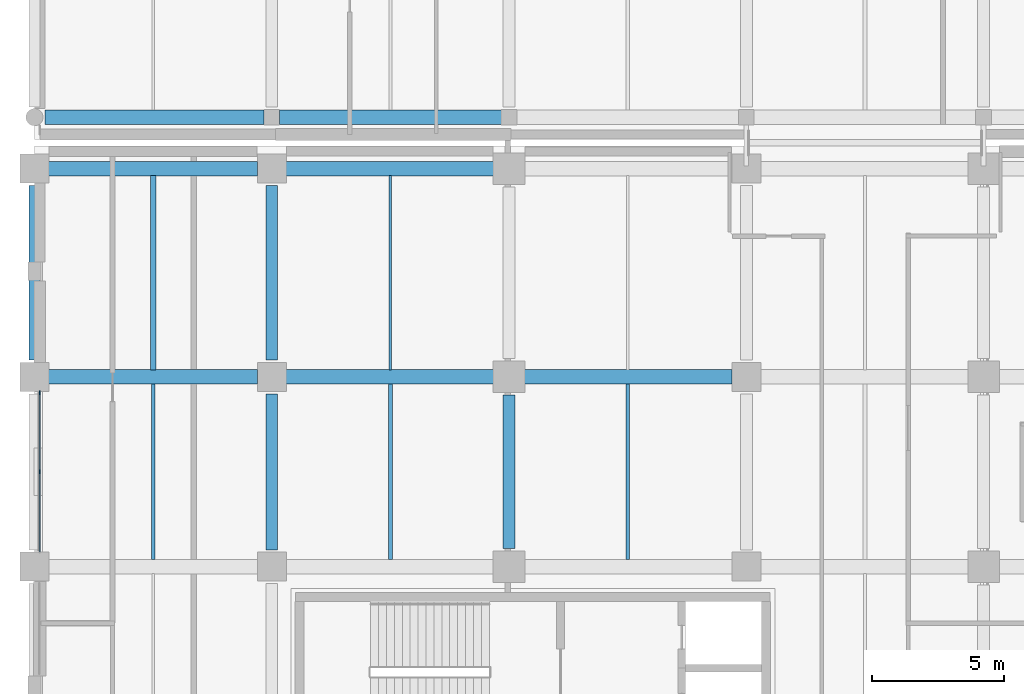
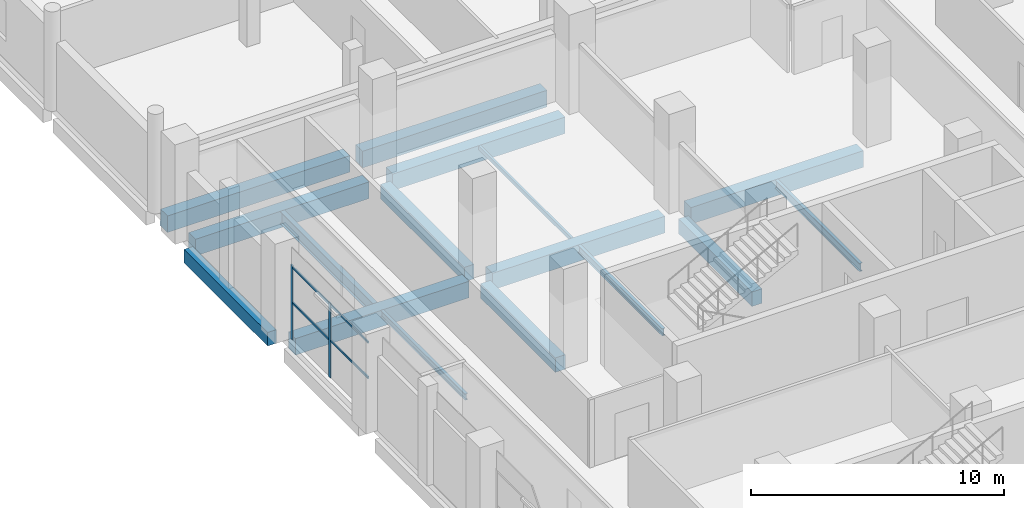
# One storey, part 18 of 100: 16 beams, 4 members, 1 element without a shape of its own.
"""IFC4 building model written with IfcOpenShell, lengths in metres."""

from ifc_helpers import new_model, si_unit, direction, frame, origin, origin_2d, place, context, subcontext, project, spatial, rectangle, hollow_rectangle, i_section, extrude, material, material_profile, profile_set, type_object, element, aggregate, save


model = new_model("IFC4")

# Units and contexts
model_context = context("Model", 3, precision=1e-05, world=origin(), true_north=direction((0.0, 1.0)))
body_context = subcontext(model_context, "Body", "Model", "MODEL_VIEW")
ifc_project = project(units=[si_unit("LENGTHUNIT", "METRE"), si_unit("AREAUNIT", "SQUARE_METRE"), si_unit("VOLUMEUNIT", "CUBIC_METRE"), si_unit("PLANEANGLEUNIT", "RADIAN"), si_unit("MASSUNIT", "GRAM", prefix="KILO"), si_unit("THERMODYNAMICTEMPERATUREUNIT", "KELVIN"), si_unit("POWERUNIT", "WATT")], contexts=[model_context])

# Site, building, storey
site_placement = place(None, origin())
site = spatial("IfcSite", under=ifc_project, at=site_placement, CompositionType="ELEMENT")
building_placement = place(site_placement, origin())
building = spatial("IfcBuilding", under=site, at=building_placement, Name="Sindhuravela Promenade Stadium", CompositionType="ELEMENT")
storey_placement = place(building_placement, frame((0.0, 0.0, 4.800048828125)))
storey = spatial("IfcBuildingStorey", under=building, at=storey_placement, Name="L01", CompositionType="ELEMENT", Elevation=4.800048828125)

# Curtain wall, members
ifc_material_1 = material(Name="Anodised architectural aluminium 6063-T6", Category="aluminium")
curtain_wall_type = type_object("IfcCurtainWallType", Name="CW-MOD-6", PredefinedType="NOTDEFINED", material=ifc_material_1)
curtain_wall_placement = place(storey_placement, origin())
curtain_wall = element("IfcCurtainWall", 1, at=curtain_wall_placement, inside=storey, type_object=curtain_wall_type, Name="Bronze curtain wall CW-WEST-L01-005", PredefinedType="NOTDEFINED")
ifc_material_profile_1 = material_profile(ifc_material_1, rectangle(XDim=0.054931640625, YDim=0.14990234375, at=origin_2d()), Name="ALU M55x150")
ifc_profile_set_1 = profile_set([ifc_material_profile_1], Name="Anodised architectural aluminium 6063-T6")
member_type_1 = type_object("IfcMemberType", Name="CW-MUL-6", PredefinedType="MULLION", material=ifc_profile_set_1)
member_1_placement = place(storey_placement, frame((0.199951171875, 113.39990234375, 0.0), z_axis=(0.0, 0.0, 1.0), x_axis=(1.0, 0.0, 0.0)))
member_1 = element("IfcMember", 2, at=member_1_placement, type_object=member_type_1, Name="Curtain wall mullion CW-WEST-L01-005-M2", PredefinedType="MULLION", context=body_context, shape_type="SweptSolid", body=[
    extrude(rectangle(XDim=0.054931640625, YDim=0.14990234375, at=origin_2d()), origin(), (0.0, 0.0, 1.0), 3.579833984375),
])
member_2_placement = place(storey_placement, frame((0.199951171875, 116.39990234375, 0.0), z_axis=(0.0, 0.0, 1.0), x_axis=(1.0, 0.0, 0.0)))
member_2 = element("IfcMember", 3, at=member_2_placement, type_object=member_type_1, Name="Curtain wall mullion CW-WEST-L01-005-M3", PredefinedType="MULLION", context=body_context, shape_type="SweptSolid", body=[
    extrude(rectangle(XDim=0.054931640625, YDim=0.14990234375, at=origin_2d()), origin(), (0.0, 0.0, 1.0), 3.579833984375),
])
ifc_material_profile_2 = material_profile(ifc_material_1, rectangle(XDim=0.054931640625, YDim=0.10498046875, at=origin_2d()), Name="ALU T55x105")
ifc_profile_set_2 = profile_set([ifc_material_profile_2], Name="Anodised architectural aluminium 6063-T6")
member_type_2 = type_object("IfcMemberType", Name="CW-TRN-6", PredefinedType="USERDEFINED", material=ifc_profile_set_2)
member_3_placement = place(storey_placement, frame((0.199951171875, 110.375, 1.7900390625), z_axis=(0.0, 1.0, 0.0), x_axis=(-1.0, 0.0, 0.0)))
member_3 = element("IfcMember", 4, at=member_3_placement, type_object=member_type_2, Name="Curtain wall transom CW-WEST-L01-005-T1", ObjectType="TRANSOM", PredefinedType="USERDEFINED", context=body_context, shape_type="SweptSolid", body=[
    extrude(rectangle(XDim=0.054931640625, YDim=0.10498046875, at=origin_2d()), origin(), (0.0, 0.0, 1.0), 6.050048828125),
])
member_4_placement = place(storey_placement, frame((0.199951171875, 110.375, 3.5), z_axis=(0.0, 1.0, 0.0), x_axis=(-1.0, 0.0, 0.0)))
member_4 = element("IfcMember", 5, at=member_4_placement, type_object=member_type_2, Name="Curtain wall transom CW-WEST-L01-005-T2", ObjectType="TRANSOM", PredefinedType="USERDEFINED", context=body_context, shape_type="SweptSolid", body=[
    extrude(rectangle(XDim=0.054931640625, YDim=0.10498046875, at=origin_2d()), origin(), (0.0, 0.0, 1.0), 6.050048828125),
])
aggregate(curtain_wall, [member_1, member_2, member_3, member_4])

# Beams
ifc_material_2 = material(Name="Concrete M40", Category="concrete")
ifc_material_profile_3 = material_profile(ifc_material_2, rectangle(XDim=0.39990234375, YDim=0.64990234375, at=origin_2d()), Name="RC 400x650")
ifc_profile_set_3 = profile_set([ifc_material_profile_3], Name="Concrete M40")
beam_type_1 = type_object("IfcBeamType", Name="RC-BM-400x650", PredefinedType="SPANDREL", material=ifc_profile_set_3)
beam_1_placement = place(storey_placement, frame((0.0, 117.639892578125, -0.625), z_axis=(0.0, 1.0, 0.0), x_axis=(-1.0, 0.0, 0.0)))
element("IfcBeam", 6, at=beam_1_placement, inside=storey, type_object=beam_type_1, Name="Primary beam SP01 WEST L01", PredefinedType="SPANDREL", context=body_context, shape_type="SweptSolid", body=[
    extrude(rectangle(XDim=0.39990234375, YDim=0.64990234375, at=origin_2d()), origin(), (0.0, 0.0, 1.0), 6.6201171875),
])
ifc_material_profile_4 = material_profile(ifc_material_2, rectangle(XDim=0.449951171875, YDim=0.699951171875, at=origin_2d()), Name="RC 450x700")
ifc_profile_set_4 = profile_set([ifc_material_profile_4], Name="Concrete M40")
beam_type_2 = type_object("IfcBeamType", Name="RC-BM-450x700", PredefinedType="BEAM", material=ifc_profile_set_4)
beam_2_placement = place(storey_placement, frame((9.0, 110.43994140625, -0.650146484375), z_axis=(0.0, 1.0, 0.0), x_axis=(-1.0, 0.0, 0.0)))
element("IfcBeam", 7, at=beam_2_placement, inside=storey, type_object=beam_type_2, Name="Primary beam GB07 WEST L01", PredefinedType="BEAM", context=body_context, shape_type="SweptSolid", body=[
    extrude(rectangle(XDim=0.449951171875, YDim=0.699951171875, at=origin_2d()), origin(), (0.0, 0.0, 1.0), 5.920166015625),
])
beam_3_placement = place(storey_placement, frame((9.0, 117.639892578125, -0.650146484375), z_axis=(0.0, 1.0, 0.0), x_axis=(-1.0, 0.0, 0.0)))
element("IfcBeam", 8, at=beam_3_placement, inside=storey, type_object=beam_type_2, Name="Primary beam GB07 WEST L01", PredefinedType="BEAM", context=body_context, shape_type="SweptSolid", body=[
    extrude(rectangle(XDim=0.449951171875, YDim=0.699951171875, at=origin_2d()), origin(), (0.0, 0.0, 1.0), 6.6201171875),
])
beam_4_placement = place(storey_placement, frame((18.0, 110.489990234375, -0.650146484375), z_axis=(0.0, 1.0, 0.0), x_axis=(-1.0, 0.0, 0.0)))
element("IfcBeam", 9, at=beam_4_placement, inside=storey, type_object=beam_type_2, Name="Primary beam GB07 WEST L01", PredefinedType="BEAM", context=body_context, shape_type="SweptSolid", body=[
    extrude(rectangle(XDim=0.449951171875, YDim=0.699951171875, at=origin_2d()), origin(), (0.0, 0.0, 1.0), 5.820068359375),
])
ifc_material_profile_5 = material_profile(ifc_material_2, rectangle(XDim=0.550048828125, YDim=0.800048828125, at=origin_2d()), Name="RC 550x800")
ifc_profile_set_5 = profile_set([ifc_material_profile_5], Name="Concrete M40")
beam_type_3 = type_object("IfcBeamType", Name="RC-BM-550x800", PredefinedType="BEAM", material=ifc_profile_set_5)
beam_5_placement = place(storey_placement, frame((0.5400390625, 117.0, -0.699951171875), z_axis=(1.0, 0.0, 0.0), x_axis=(0.0, 1.0, 0.0)))
element("IfcBeam", 10, at=beam_5_placement, inside=storey, type_object=beam_type_3, Name="Primary girder GB05 WEST L01", PredefinedType="BEAM", context=body_context, shape_type="SweptSolid", body=[
    extrude(rectangle(XDim=0.550048828125, YDim=0.800048828125, at=origin_2d()), origin(), (0.0, 0.0, 1.0), 7.919921875),
])
for number, where, z_axis, x_axis, name in (
    (11, (9.5400390625, 117.0, -0.699951171875), (1.0, 0.0, 0.0), (0.0, 1.0, 0.0), "Primary girder GB05 WEST L01"),
    (12, (18.590087890625, 117.0, -0.699951171875), (1.0, 0.0, 0.0), (0.0, 1.0, 0.0), "Primary girder GB05 WEST L01"),
):
    element("IfcBeam", number, at=place(storey_placement, frame(where, z_axis=z_axis, x_axis=x_axis)), inside=storey, type_object=beam_type_3, Name=name, PredefinedType="BEAM", context=body_context, shape_type="SweptSolid", body=[
        extrude(rectangle(XDim=0.550048828125, YDim=0.800048828125, at=origin_2d()), origin(), (0.0, 0.0, 1.0), 7.869873046875),
    ])
beam_6_placement = place(storey_placement, frame((0.5400390625, 124.89990234375, -0.699951171875), z_axis=(1.0, 0.0, 0.0), x_axis=(0.0, 1.0, 0.0)))
element("IfcBeam", 13, at=beam_6_placement, inside=storey, type_object=beam_type_3, Name="Primary girder GB05 WEST L01", PredefinedType="BEAM", context=body_context, shape_type="SweptSolid", body=[
    extrude(rectangle(XDim=0.550048828125, YDim=0.800048828125, at=origin_2d()), origin(), (0.0, 0.0, 1.0), 7.919921875),
])
beam_7_placement = place(storey_placement, frame((9.5400390625, 124.89990234375, -0.699951171875), z_axis=(1.0, 0.0, 0.0), x_axis=(0.0, 1.0, 0.0)))
element("IfcBeam", 14, at=beam_7_placement, inside=storey, type_object=beam_type_3, Name="Primary girder GB05 WEST L01", PredefinedType="BEAM", context=body_context, shape_type="SweptSolid", body=[
    extrude(rectangle(XDim=0.550048828125, YDim=0.800048828125, at=origin_2d()), origin(), (0.0, 0.0, 1.0), 7.869873046875),
])
beam_8_placement = place(storey_placement, frame((0.389892578125, 126.85009765625, -0.699951171875), z_axis=(1.0, 0.0, 0.0), x_axis=(0.0, 1.0, 0.0)))
element("IfcBeam", 15, at=beam_8_placement, inside=storey, type_object=beam_type_3, Name="Primary girder GB05 Pavilion NW L01", PredefinedType="BEAM", context=body_context, shape_type="SweptSolid", body=[
    extrude(rectangle(XDim=0.550048828125, YDim=0.800048828125, at=origin_2d()), origin(), (0.0, 0.0, 1.0), 8.320068359375),
])
beam_9_placement = place(storey_placement, frame((9.2900390625, 126.85009765625, -0.699951171875), z_axis=(1.0, 0.0, 0.0), x_axis=(0.0, 1.0, 0.0)))
element("IfcBeam", 16, at=beam_9_placement, inside=storey, type_object=beam_type_3, Name="Primary girder GB05 Pavilion NW L01", PredefinedType="BEAM", context=body_context, shape_type="SweptSolid", body=[
    extrude(rectangle(XDim=0.550048828125, YDim=0.800048828125, at=origin_2d()), origin(), (0.0, 0.0, 1.0), 8.419921875),
])
ifc_material_3 = material(Name="Steel E350 (IS 2062 E350BR)", Category="steel")
ifc_material_profile_6 = material_profile(ifc_material_3, hollow_rectangle(XDim=0.10009765625, YDim=0.199951171875, WallThickness=0.008056640625, at=origin_2d()), Name="RHS 200x100x8")
ifc_profile_set_6 = profile_set([ifc_material_profile_6], Name="Steel E350 (IS 2062 E350BR)")
beam_type_4 = type_object("IfcBeamType", Name="ST-BM-LNT200", PredefinedType="LINTEL", material=ifc_profile_set_6)
beam_10_placement = place(storey_placement, frame((13.5, 117.264892578125, -0.400146484375), z_axis=(0.0, 1.0, 0.0), x_axis=(-1.0, 0.0, 0.0)))
element("IfcBeam", 17, at=beam_10_placement, inside=storey, type_object=beam_type_4, Name="Secondary floor joist LN01 WEST L01", PredefinedType="LINTEL", context=body_context, shape_type="SweptSolid", body=[
    extrude(hollow_rectangle(XDim=0.10009765625, YDim=0.199951171875, WallThickness=0.008056640625, at=origin_2d()), origin(), (0.0, 0.0, 1.0), 7.3701171875),
])
ifc_material_profile_7 = material_profile(ifc_material_3, i_section(OverallWidth=0.139892578125, OverallDepth=0.300048828125, WebThickness=0.0078125, FlangeThickness=0.01318359375, FilletRadius=0.013916015625, at=origin_2d()), Name="ISMB 300")
ifc_profile_set_7 = profile_set([ifc_material_profile_7], Name="Steel E350 (IS 2062 E350BR)")
beam_type_5 = type_object("IfcBeamType", Name="ST-BM-MB300", PredefinedType="JOIST", material=ifc_profile_set_7)
beam_11_placement = place(storey_placement, frame((4.5, 110.06494140625, -0.449951171875), z_axis=(0.0, 1.0, 0.0), x_axis=(-1.0, 0.0, 0.0)))
element("IfcBeam", 18, at=beam_11_placement, inside=storey, type_object=beam_type_5, Name="Secondary floor joist SB03 WEST L01", PredefinedType="JOIST", context=body_context, shape_type="SweptSolid", body=[
    extrude(i_section(OverallWidth=0.139892578125, OverallDepth=0.300048828125, WebThickness=0.0078125, FlangeThickness=0.01318359375, FilletRadius=0.013916015625, at=origin_2d()), origin(), (0.0, 0.0, 1.0), 6.670166015625),
])
ifc_material_profile_8 = material_profile(ifc_material_3, i_section(OverallWidth=0.139892578125, OverallDepth=0.35009765625, WebThickness=0.008056640625, FlangeThickness=0.01416015625, FilletRadius=0.013916015625, at=origin_2d()), Name="ISMB 350")
ifc_profile_set_8 = profile_set([ifc_material_profile_8], Name="Steel E350 (IS 2062 E350BR)")
beam_type_6 = type_object("IfcBeamType", Name="ST-BM-MB350", PredefinedType="JOIST", material=ifc_profile_set_8)
beam_12_placement = place(storey_placement, frame((13.5, 110.06494140625, -0.47509765625), z_axis=(0.0, 1.0, 0.0), x_axis=(-1.0, 0.0, 0.0)))
element("IfcBeam", 19, at=beam_12_placement, inside=storey, type_object=beam_type_6, Name="Secondary floor joist SB04 WEST L01", PredefinedType="JOIST", context=body_context, shape_type="SweptSolid", body=[
    extrude(i_section(OverallWidth=0.139892578125, OverallDepth=0.35009765625, WebThickness=0.008056640625, FlangeThickness=0.01416015625, FilletRadius=0.013916015625, at=origin_2d()), origin(), (0.0, 0.0, 1.0), 6.670166015625),
])
ifc_material_profile_9 = material_profile(ifc_material_3, i_section(OverallWidth=0.139892578125, OverallDepth=0.39990234375, WebThickness=0.0087890625, FlangeThickness=0.01611328125, FilletRadius=0.013916015625, at=origin_2d()), Name="ISMB 400")
ifc_profile_set_9 = profile_set([ifc_material_profile_9], Name="Steel E350 (IS 2062 E350BR)")
beam_type_7 = type_object("IfcBeamType", Name="ST-BM-MB400", PredefinedType="BEAM", material=ifc_profile_set_9)
beam_13_placement = place(storey_placement, frame((22.5, 110.06494140625, -0.5), z_axis=(0.0, 1.0, 0.0), x_axis=(-1.0, 0.0, 0.0)))
element("IfcBeam", 20, at=beam_13_placement, inside=storey, type_object=beam_type_7, Name="Secondary floor joist SB05 WEST L01", PredefinedType="BEAM", context=body_context, shape_type="SweptSolid", body=[
    extrude(i_section(OverallWidth=0.139892578125, OverallDepth=0.39990234375, WebThickness=0.0087890625, FlangeThickness=0.01611328125, FilletRadius=0.013916015625, at=origin_2d()), origin(), (0.0, 0.0, 1.0), 6.670166015625),
])
ifc_material_profile_10 = material_profile(ifc_material_3, i_section(OverallWidth=0.2099609375, OverallDepth=0.60009765625, WebThickness=0.011962890625, FlangeThickness=0.020751953125, FilletRadius=0.02001953125, at=origin_2d()), Name="ISMB 600")
ifc_profile_set_10 = profile_set([ifc_material_profile_10], Name="Steel E350 (IS 2062 E350BR)")
beam_type_8 = type_object("IfcBeamType", Name="ST-BM-MB600", PredefinedType="BEAM", material=ifc_profile_set_10)
beam_14_placement = place(storey_placement, frame((4.5, 117.264892578125, -0.60009765625), z_axis=(0.0, 1.0, 0.0), x_axis=(-1.0, 0.0, 0.0)))
element("IfcBeam", 21, at=beam_14_placement, inside=storey, type_object=beam_type_8, Name="Secondary floor joist SB09 WEST L01", PredefinedType="BEAM", context=body_context, shape_type="SweptSolid", body=[
    extrude(i_section(OverallWidth=0.2099609375, OverallDepth=0.60009765625, WebThickness=0.011962890625, FlangeThickness=0.020751953125, FilletRadius=0.02001953125, at=origin_2d()), origin(), (0.0, 0.0, 1.0), 7.3701171875),
])

save(model, "model.ifc")
